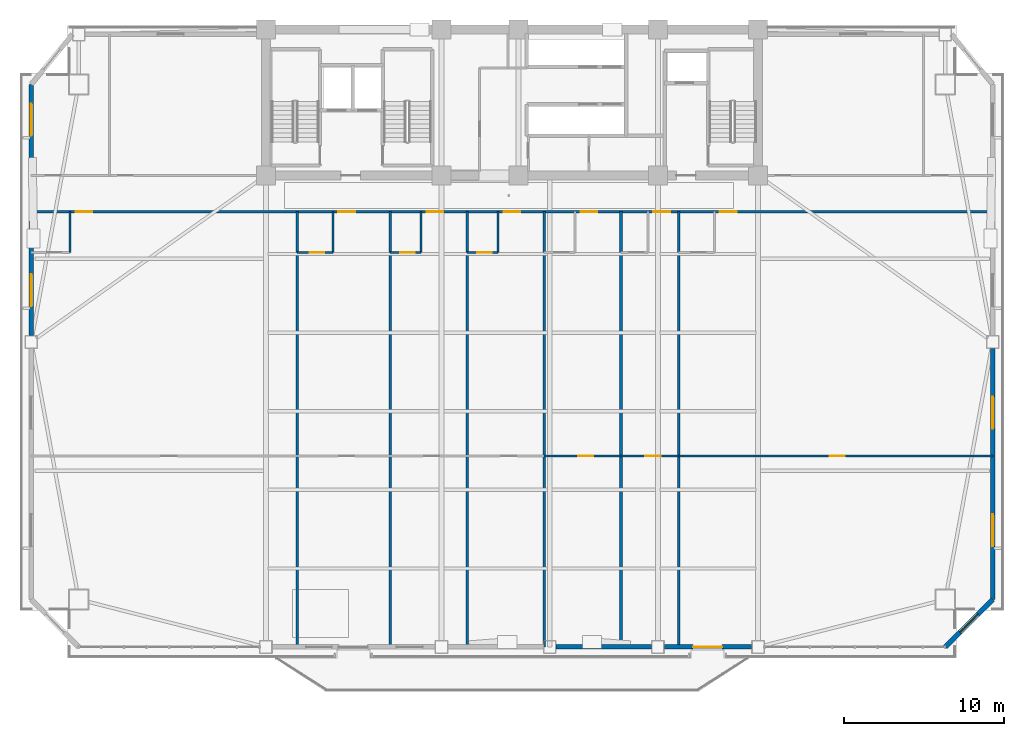
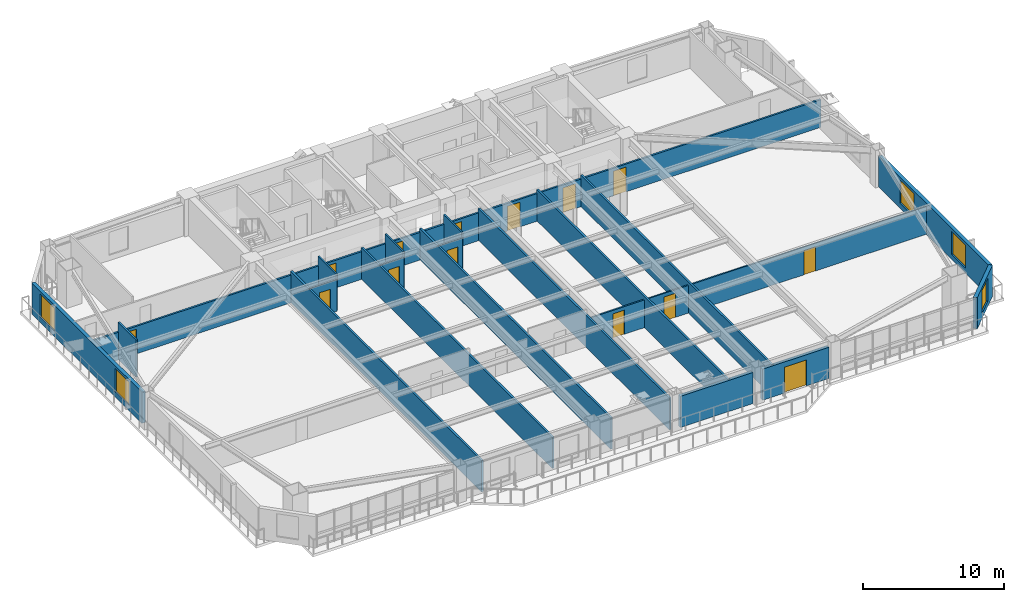
# One storey, part 8 of 17: 22 walls, 14 doors, 5 windows, 19 openings.
"""IFC4 building model written with IfcOpenShell, lengths in metres."""

from ifc_helpers import new_model, si_unit, direction, frame, frame_2d, origin, place, context, subcontext, project, spatial, rectangle, extrude, source, transform, mapped, material, layer, layer_set, type_object, element, fill, save


model = new_model("IFC4")

# Units and contexts
model_context = context("Model", 3, precision=1e-05, world=origin(), true_north=direction((0.0, 1.0)))
body_context = subcontext(model_context, "Body", "Model", "MODEL_VIEW")
ifc_project = project(units=[si_unit("LENGTHUNIT", "METRE"), si_unit("AREAUNIT", "SQUARE_METRE"), si_unit("VOLUMEUNIT", "CUBIC_METRE"), si_unit("PLANEANGLEUNIT", "RADIAN"), si_unit("MASSUNIT", "GRAM", prefix="KILO")], contexts=[model_context])

# Site, building, storey
site_placement = place(None, origin())
site = spatial("IfcSite", under=ifc_project, at=site_placement, CompositionType="ELEMENT")
building_placement = place(site_placement, origin())
building = spatial("IfcBuilding", under=site, at=building_placement, Name="Giltprow Tower", CompositionType="ELEMENT")
storey_placement = place(building_placement, frame((0.0, 0.0, 141.199951171875)))
storey = spatial("IfcBuildingStorey", under=building, at=storey_placement, Name="L34", CompositionType="ELEMENT", Elevation=141.199951171875)

# Wall, opening, window
ifc_material_1 = material(Name="Precast concrete C40", Category="concrete")
ifc_layer_1 = layer(ifc_material_1, 0.300048828125, Name="Precast concrete C40")
ifc_layer_set_1 = layer_set([ifc_layer_1], Name="Precast concrete C40")
wall_type_1 = type_object("IfcWallType", Name="EW-NOTCH-CHAMFER-300", PredefinedType="SOLIDWALL", material=ifc_layer_set_1)
wall_1_placement = place(storey_placement, frame((62.220947265625, 8.044921875, 0.0), z_axis=(0.0, 0.0, 1.0), x_axis=(0.707106781187, 0.707106781187, 0.0)))
wall_1 = element("IfcWall", 1, at=wall_1_placement, inside=storey, type_object=wall_type_1, Name="L34 Corner Notch Wall SE", PredefinedType="SOLIDWALL", context=body_context, shape_type="SweptSolid", body=[
    extrude(rectangle(XDim=4.193359375, YDim=0.300048828125, at=frame_2d((2.0966796875, 0.0))), origin(), (0.0, 0.0, 1.0), 2.699951171875),
])
opening_1_placement = place(wall_1_placement, frame((1.297119140625, 0.0, 0.449951171875)))
opening_1 = element("IfcOpeningElement", 2, at=opening_1_placement, cuts=wall_1, Name="Opening WN17", PredefinedType="OPENING", context=body_context, shape_type="SweptSolid", body=[
    extrude(rectangle(XDim=1.60009765625, YDim=2.0, at=frame_2d((0.800048828125, 1.0))), frame((0.0, 0.159912109375, 0.0), z_axis=(0.0, -1.0, 0.0), x_axis=(1.0, 0.0, 0.0)), (0.0, 0.0, 1.0), 0.320068359375),
])
ifc_material_2 = material(Name="Insulated glass", Category="glass")
window_type_1 = type_object("IfcWindowType", Name="WN-COR-1600x2000", PartitioningType="SINGLE_PANEL", PredefinedType="WINDOW", material=ifc_material_2)
shared_shape_1 = source(origin(), body_context, "Body", "SweptSolid", [
    extrude(rectangle(XDim=1.60009765625, YDim=2.0, at=frame_2d((0.800048828125, 1.0))), frame((0.0, 0.030029296875, 0.0), z_axis=(0.0, -1.0, 0.0), x_axis=(1.0, 0.0, 0.0)), (0.0, 0.0, 1.0), 0.06005859375),
])
window_1_placement = place(opening_1_placement, origin())
window_1 = element("IfcWindow", 3, at=window_1_placement, inside=storey, type_object=window_type_1, Name="L34 Corner Notch Window SE", OverallHeight=2.0, OverallWidth=1.60009765625, PartitioningType="SINGLE_PANEL", PredefinedType="WINDOW", context=body_context, shape_type="MappedRepresentation", body=[
    mapped(shared_shape_1, transform((0.0, 0.0, 0.0), x_axis=(1.0, 0.0, 0.0), y_axis=(0.0, 1.0, 0.0), z_axis=(0.0, 0.0, 1.0), scale=1.0)),
])
fill(opening_1, window_1)

# Wall
ifc_layer_2 = layer(ifc_material_1, 0.280029296875, Name="Precast concrete C40")
ifc_layer_set_2 = layer_set([ifc_layer_2], Name="Precast concrete C40")
wall_type_2 = type_object("IfcWallType", Name="EW-TOW-BRONZE-280", PredefinedType="SOLIDWALL", material=ifc_layer_set_2)
wall_2_placement = place(storey_placement, frame((37.949951171875, 8.044921875, 0.0), z_axis=(0.0, 0.0, 1.0), x_axis=(1.0, 0.0, 0.0)))
element("IfcWall", 4, at=wall_2_placement, inside=storey, type_object=wall_type_2, Name="L34 South Expressed Frame Wall 4", PredefinedType="SOLIDWALL", context=body_context, shape_type="SweptSolid", body=[
    extrude(rectangle(XDim=5.949951171875, YDim=0.280029296875, at=frame_2d((2.97509765625, 0.0))), origin(), (0.0, 0.0, 1.0), 2.699951171875),
])

# Wall, opening, door
wall_3_placement = place(storey_placement, frame((44.699951171875, 8.044921875, 0.0), z_axis=(0.0, 0.0, 1.0), x_axis=(1.0, 0.0, 0.0)))
wall_3 = element("IfcWall", 5, at=wall_3_placement, inside=storey, type_object=wall_type_2, Name="L34 South Expressed Frame Wall 5", PredefinedType="SOLIDWALL", context=body_context, shape_type="SweptSolid", body=[
    extrude(rectangle(XDim=5.449951171875, YDim=0.280029296875, at=frame_2d((2.72509765625, 0.0))), origin(), (0.0, 0.0, 1.0), 2.699951171875),
])
opening_2_placement = place(wall_3_placement, frame((1.800048828125, 0.0, 0.0)))
opening_2 = element("IfcOpeningElement", 6, at=opening_2_placement, cuts=wall_3, Name="Opening ED25", PredefinedType="OPENING", context=body_context, shape_type="SweptSolid", body=[
    extrude(rectangle(XDim=1.800048828125, YDim=2.25, at=frame_2d((0.89990234375, 1.125))), frame((0.0, 0.14990234375, 0.0), z_axis=(0.0, -1.0, 0.0), x_axis=(1.0, 0.0, 0.0)), (0.0, 0.0, 1.0), 0.300048828125),
])
ifc_material_3 = material(Name="Anodized bronze and glass", Category="glass")
door_type_1 = type_object("IfcDoorType", Name="DR-BALC-SLIDE-1800", OperationType="SLIDING_TO_LEFT", PredefinedType="DOOR", material=ifc_material_3)
shared_shape_2 = source(origin(), body_context, "Body", "SweptSolid", [
    extrude(rectangle(XDim=1.800048828125, YDim=2.25, at=frame_2d((0.89990234375, 1.125))), frame((0.0, 0.02490234375, 0.0), z_axis=(0.0, -1.0, 0.0), x_axis=(1.0, 0.0, 0.0)), (0.0, 0.0, 1.0), 0.050048828125),
])
door_1_placement = place(opening_2_placement, origin())
door_1 = element("IfcDoor", 7, at=door_1_placement, inside=storey, type_object=door_type_1, Name="L34 Waterfront Balcony Sliding Door 2", OperationType="SLIDING_TO_LEFT", OverallHeight=2.25, OverallWidth=1.800048828125, PredefinedType="DOOR", context=body_context, shape_type="MappedRepresentation", body=[
    mapped(shared_shape_2, transform((0.0, 0.0, 0.0), x_axis=(1.0, 0.0, 0.0), y_axis=(0.0, 1.0, 0.0), z_axis=(0.0, 0.0, 1.0), scale=1.0)),
])
fill(opening_2, door_1)

# Wall, openings, windows
wall_4_placement = place(storey_placement, frame((5.214111328125, 27.471923828125, 0.0), z_axis=(0.0, 0.0, 1.0), x_axis=(0.0, 1.0, 0.0)))
wall_4 = element("IfcWall", 8, at=wall_4_placement, inside=storey, type_object=wall_type_2, Name="L34 W Wing Masonry Wall 2", PredefinedType="SOLIDWALL", context=body_context, shape_type="SweptSolid", body=[
    extrude(rectangle(XDim=15.662109375, YDim=0.280029296875, at=frame_2d((7.8310546875, 0.0))), origin(), (0.0, 0.0, 1.0), 2.699951171875),
])
opening_3_placement = place(wall_4_placement, frame((1.822998046875, 0.0, 0.449951171875)))
opening_3 = element("IfcOpeningElement", 9, at=opening_3_placement, cuts=wall_4, Name="Opening WN21", PredefinedType="OPENING", context=body_context, shape_type="SweptSolid", body=[
    extrude(rectangle(XDim=2.0, YDim=2.0, at=frame_2d((1.0, 1.0))), frame((0.0, 0.14990234375, 0.0), z_axis=(0.0, -1.0, 0.0), x_axis=(1.0, 0.0, 0.0)), (0.0, 0.0, 1.0), 0.300048828125),
])
opening_4_placement = place(wall_4_placement, frame((12.4580078125, 0.0, 0.449951171875)))
opening_4 = element("IfcOpeningElement", 10, at=opening_4_placement, cuts=wall_4, Name="Opening WN21", PredefinedType="OPENING", context=body_context, shape_type="SweptSolid", body=[
    extrude(rectangle(XDim=2.0, YDim=2.0, at=frame_2d((1.0, 1.0))), frame((0.0, 0.14990234375, 0.0), z_axis=(0.0, -1.0, 0.0), x_axis=(1.0, 0.0, 0.0)), (0.0, 0.0, 1.0), 0.300048828125),
])
window_type_2 = type_object("IfcWindowType", Name="WN-HTL-2000x2000", PartitioningType="DOUBLE_PANEL_VERTICAL", PredefinedType="WINDOW", material=ifc_material_2)
shared_shape_3 = source(origin(), body_context, "Body", "SweptSolid", [
    extrude(rectangle(XDim=2.0, YDim=2.0, at=frame_2d((1.0, 1.0))), frame((0.0, 0.030029296875, 0.0), z_axis=(0.0, -1.0, 0.0), x_axis=(1.0, 0.0, 0.0)), (0.0, 0.0, 1.0), 0.06005859375),
])
window_2_placement = place(opening_3_placement, origin())
window_2 = element("IfcWindow", 11, at=window_2_placement, inside=storey, type_object=window_type_2, Name="L34 W Wing Window 2-1", OverallHeight=2.0, OverallWidth=2.0, PartitioningType="SINGLE_PANEL", PredefinedType="WINDOW", context=body_context, shape_type="MappedRepresentation", body=[
    mapped(shared_shape_3, transform((0.0, 0.0, 0.0), x_axis=(1.0, 0.0, 0.0), y_axis=(0.0, 1.0, 0.0), z_axis=(0.0, 0.0, 1.0), scale=1.0)),
])
fill(opening_3, window_2)
window_3_placement = place(opening_4_placement, origin())
window_3 = element("IfcWindow", 12, at=window_3_placement, inside=storey, type_object=window_type_2, Name="L34 W Wing Window 2-2", OverallHeight=2.0, OverallWidth=2.0, PartitioningType="SINGLE_PANEL", PredefinedType="WINDOW", context=body_context, shape_type="MappedRepresentation", body=[
    mapped(shared_shape_3, transform((0.0, 0.0, 0.0), x_axis=(1.0, 0.0, 0.0), y_axis=(0.0, 1.0, 0.0), z_axis=(0.0, 0.0, 1.0), scale=1.0)),
])
fill(opening_4, window_3)

wall_5_placement = place(storey_placement, frame((65.18603515625, 11.010009765625, 0.0), z_axis=(0.0, 0.0, 1.0), x_axis=(0.0, 1.0, 0.0)))
wall_5 = element("IfcWall", 13, at=wall_5_placement, inside=storey, type_object=wall_type_2, Name="L34 E Wing Masonry Wall 1", PredefinedType="SOLIDWALL", context=body_context, shape_type="SweptSolid", body=[
    extrude(rectangle(XDim=15.662109375, YDim=0.280029296875, at=frame_2d((7.8310546875, 0.0))), origin(), (0.0, 0.0, 1.0), 2.699951171875),
])
opening_5_placement = place(wall_5_placement, frame((3.31201171875, 0.0, 0.449951171875)))
opening_5 = element("IfcOpeningElement", 14, at=opening_5_placement, cuts=wall_5, Name="Opening WN21", PredefinedType="OPENING", context=body_context, shape_type="SweptSolid", body=[
    extrude(rectangle(XDim=2.0, YDim=2.0, at=frame_2d((1.0, 1.0))), frame((0.0, 0.14990234375, 0.0), z_axis=(0.0, -1.0, 0.0), x_axis=(1.0, 0.0, 0.0)), (0.0, 0.0, 1.0), 0.300048828125),
])
opening_6_placement = place(wall_5_placement, frame((10.64306640625, 0.0, 0.449951171875)))
opening_6 = element("IfcOpeningElement", 15, at=opening_6_placement, cuts=wall_5, Name="Opening WN21", PredefinedType="OPENING", context=body_context, shape_type="SweptSolid", body=[
    extrude(rectangle(XDim=2.0, YDim=2.0, at=frame_2d((1.0, 1.0))), frame((0.0, 0.14990234375, 0.0), z_axis=(0.0, -1.0, 0.0), x_axis=(1.0, 0.0, 0.0)), (0.0, 0.0, 1.0), 0.300048828125),
])
window_4_placement = place(opening_5_placement, origin())
window_4 = element("IfcWindow", 16, at=window_4_placement, inside=storey, type_object=window_type_2, Name="L34 E Wing Window 1-1A", OverallHeight=2.0, OverallWidth=2.0, PartitioningType="SINGLE_PANEL", PredefinedType="WINDOW", context=body_context, shape_type="MappedRepresentation", body=[
    mapped(shared_shape_3, transform((0.0, 0.0, 0.0), x_axis=(1.0, 0.0, 0.0), y_axis=(0.0, 1.0, 0.0), z_axis=(0.0, 0.0, 1.0), scale=1.0)),
])
fill(opening_5, window_4)
window_5_placement = place(opening_6_placement, origin())
window_5 = element("IfcWindow", 17, at=window_5_placement, inside=storey, type_object=window_type_2, Name="L34 E Wing Window 1-1B", OverallHeight=2.0, OverallWidth=2.0, PartitioningType="SINGLE_PANEL", PredefinedType="WINDOW", context=body_context, shape_type="MappedRepresentation", body=[
    mapped(shared_shape_3, transform((0.0, 0.0, 0.0), x_axis=(1.0, 0.0, 0.0), y_axis=(0.0, 1.0, 0.0), z_axis=(0.0, 0.0, 1.0), scale=1.0)),
])
fill(opening_6, window_5)

# Wall, openings, doors
ifc_material_4 = material(Name="Gypsum stud partition", Category="gypsum")
ifc_layer_3 = layer(ifc_material_4, 0.14990234375, Name="Gypsum stud partition")
ifc_layer_set_3 = layer_set([ifc_layer_3], Name="Gypsum stud partition")
wall_type_3 = type_object("IfcWallType", Name="IW-CORR-150", PredefinedType="PARTITIONING", material=ifc_layer_set_3)
wall_6_placement = place(storey_placement, frame((5.214111328125, 35.199951171875, 0.0), z_axis=(0.0, 0.0, 1.0), x_axis=(1.0, 0.0, 0.0)))
wall_6 = element("IfcWall", 18, at=wall_6_placement, inside=storey, type_object=wall_type_3, Name="L34 Hotel Guestroom Corridor Wall", PredefinedType="PARTITIONING", context=body_context, shape_type="SweptSolid", body=[
    extrude(rectangle(XDim=59.971923828125, YDim=0.14990234375, at=frame_2d((29.98583984375, 0.0))), origin(), (0.0, 0.0, 1.0), 2.405029296875),
])
opening_7_placement = place(wall_6_placement, frame((2.77001953125, 0.0, 0.0)))
opening_7 = element("IfcOpeningElement", 19, at=opening_7_placement, cuts=wall_6, Name="Opening ID31", PredefinedType="OPENING", context=body_context, shape_type="SweptSolid", body=[
    extrude(rectangle(XDim=1.050048828125, YDim=2.14990234375, at=frame_2d((0.52490234375, 1.074951171875))), frame((0.0, 0.0849609375, 0.0), z_axis=(0.0, -1.0, 0.0), x_axis=(1.0, 0.0, 0.0)), (0.0, 0.0, 1.0), 0.169921875),
])
opening_8_placement = place(wall_6_placement, frame((19.156005859375, 0.0, 0.0)))
opening_8 = element("IfcOpeningElement", 20, at=opening_8_placement, cuts=wall_6, Name="Opening ID31", PredefinedType="OPENING", context=body_context, shape_type="SweptSolid", body=[
    extrude(rectangle(XDim=1.050048828125, YDim=2.14990234375, at=frame_2d((0.52490234375, 1.074951171875))), frame((0.0, 0.0849609375, 0.0), z_axis=(0.0, -1.0, 0.0), x_axis=(1.0, 0.0, 0.0)), (0.0, 0.0, 1.0), 0.169921875),
])
opening_9_placement = place(wall_6_placement, frame((24.662109375, 0.0, 0.0)))
opening_9 = element("IfcOpeningElement", 21, at=opening_9_placement, cuts=wall_6, Name="Opening ID31", PredefinedType="OPENING", context=body_context, shape_type="SweptSolid", body=[
    extrude(rectangle(XDim=1.050048828125, YDim=2.14990234375, at=frame_2d((0.52490234375, 1.074951171875))), frame((0.0, 0.0849609375, 0.0), z_axis=(0.0, -1.0, 0.0), x_axis=(1.0, 0.0, 0.0)), (0.0, 0.0, 1.0), 0.169921875),
])
opening_10_placement = place(wall_6_placement, frame((29.4619140625, 0.0, 0.0)))
opening_10 = element("IfcOpeningElement", 22, at=opening_10_placement, cuts=wall_6, Name="Opening ID31", PredefinedType="OPENING", context=body_context, shape_type="SweptSolid", body=[
    extrude(rectangle(XDim=1.050048828125, YDim=2.14990234375, at=frame_2d((0.52490234375, 1.074951171875))), frame((0.0, 0.0849609375, 0.0), z_axis=(0.0, -1.0, 0.0), x_axis=(1.0, 0.0, 0.0)), (0.0, 0.0, 1.0), 0.169921875),
])
opening_11_placement = place(wall_6_placement, frame((34.261962890625, 0.0, 0.0)))
opening_11 = element("IfcOpeningElement", 23, at=opening_11_placement, cuts=wall_6, Name="Opening ID31", PredefinedType="OPENING", context=body_context, shape_type="SweptSolid", body=[
    extrude(rectangle(XDim=1.050048828125, YDim=2.14990234375, at=frame_2d((0.52490234375, 1.074951171875))), frame((0.0, 0.0849609375, 0.0), z_axis=(0.0, -1.0, 0.0), x_axis=(1.0, 0.0, 0.0)), (0.0, 0.0, 1.0), 0.169921875),
])
opening_12_placement = place(wall_6_placement, frame((38.805908203125, 0.0, 0.0)))
opening_12 = element("IfcOpeningElement", 24, at=opening_12_placement, cuts=wall_6, Name="Opening ID31", PredefinedType="OPENING", context=body_context, shape_type="SweptSolid", body=[
    extrude(rectangle(XDim=1.050048828125, YDim=2.14990234375, at=frame_2d((0.52490234375, 1.074951171875))), frame((0.0, 0.0849609375, 0.0), z_axis=(0.0, -1.0, 0.0), x_axis=(1.0, 0.0, 0.0)), (0.0, 0.0, 1.0), 0.169921875),
])
opening_13_placement = place(wall_6_placement, frame((42.9560546875, 0.0, 0.0)))
opening_13 = element("IfcOpeningElement", 25, at=opening_13_placement, cuts=wall_6, Name="Opening ID31", PredefinedType="OPENING", context=body_context, shape_type="SweptSolid", body=[
    extrude(rectangle(XDim=1.050048828125, YDim=2.14990234375, at=frame_2d((0.52490234375, 1.074951171875))), frame((0.0, 0.0849609375, 0.0), z_axis=(0.0, -1.0, 0.0), x_axis=(1.0, 0.0, 0.0)), (0.0, 0.0, 1.0), 0.169921875),
])
ifc_material_5 = material(Name="Engineered timber", Category="wood")
door_type_2 = type_object("IfcDoorType", Name="DR-SUITE-1050", OperationType="SINGLE_SWING_LEFT", PredefinedType="DOOR", material=ifc_material_5)
shared_shape_4 = source(origin(), body_context, "Body", "SweptSolid", [
    extrude(rectangle(XDim=1.050048828125, YDim=2.14990234375, at=frame_2d((0.52490234375, 1.074951171875))), frame((0.0, 0.02490234375, 0.0), z_axis=(0.0, -1.0, 0.0), x_axis=(1.0, 0.0, 0.0)), (0.0, 0.0, 1.0), 0.050048828125),
])
door_2_placement = place(opening_7_placement, origin())
door_2 = element("IfcDoor", 26, at=door_2_placement, inside=storey, type_object=door_type_2, Name="L34 Hotel Room 1 Entry Door", OperationType="SINGLE_SWING_LEFT", OverallHeight=2.14990234375, OverallWidth=1.050048828125, PredefinedType="DOOR", context=body_context, shape_type="MappedRepresentation", body=[
    mapped(shared_shape_4, transform((0.0, 0.0, 0.0), x_axis=(1.0, 0.0, 0.0), y_axis=(0.0, 1.0, 0.0), z_axis=(0.0, 0.0, 1.0), scale=1.0)),
])
fill(opening_7, door_2)
door_3_placement = place(opening_8_placement, origin())
door_3 = element("IfcDoor", 27, at=door_3_placement, inside=storey, type_object=door_type_2, Name="L34 Hotel Room 2 Entry Door", OperationType="SINGLE_SWING_RIGHT", OverallHeight=2.14990234375, OverallWidth=1.050048828125, PredefinedType="DOOR", context=body_context, shape_type="MappedRepresentation", body=[
    mapped(shared_shape_4, transform((0.0, 0.0, 0.0), x_axis=(1.0, 0.0, 0.0), y_axis=(0.0, 1.0, 0.0), z_axis=(0.0, 0.0, 1.0), scale=1.0)),
])
fill(opening_8, door_3)
door_4_placement = place(opening_9_placement, origin())
door_4 = element("IfcDoor", 28, at=door_4_placement, inside=storey, type_object=door_type_2, Name="L34 Hotel Room 3 Entry Door", OperationType="SINGLE_SWING_LEFT", OverallHeight=2.14990234375, OverallWidth=1.050048828125, PredefinedType="DOOR", context=body_context, shape_type="MappedRepresentation", body=[
    mapped(shared_shape_4, transform((0.0, 0.0, 0.0), x_axis=(1.0, 0.0, 0.0), y_axis=(0.0, 1.0, 0.0), z_axis=(0.0, 0.0, 1.0), scale=1.0)),
])
fill(opening_9, door_4)
door_5_placement = place(opening_10_placement, origin())
door_5 = element("IfcDoor", 29, at=door_5_placement, inside=storey, type_object=door_type_2, Name="L34 Hotel Room 4 Entry Door", OperationType="SINGLE_SWING_RIGHT", OverallHeight=2.14990234375, OverallWidth=1.050048828125, PredefinedType="DOOR", context=body_context, shape_type="MappedRepresentation", body=[
    mapped(shared_shape_4, transform((0.0, 0.0, 0.0), x_axis=(1.0, 0.0, 0.0), y_axis=(0.0, 1.0, 0.0), z_axis=(0.0, 0.0, 1.0), scale=1.0)),
])
fill(opening_10, door_5)
door_6_placement = place(opening_11_placement, origin())
door_6 = element("IfcDoor", 30, at=door_6_placement, inside=storey, type_object=door_type_2, Name="L34 Hotel Room 5 Entry Door", OperationType="SINGLE_SWING_LEFT", OverallHeight=2.14990234375, OverallWidth=1.050048828125, PredefinedType="DOOR", context=body_context, shape_type="MappedRepresentation", body=[
    mapped(shared_shape_4, transform((0.0, 0.0, 0.0), x_axis=(1.0, 0.0, 0.0), y_axis=(0.0, 1.0, 0.0), z_axis=(0.0, 0.0, 1.0), scale=1.0)),
])
fill(opening_11, door_6)
door_7_placement = place(opening_12_placement, origin())
door_7 = element("IfcDoor", 31, at=door_7_placement, inside=storey, type_object=door_type_2, Name="L34 Hotel Room 6 Entry Door", OperationType="SINGLE_SWING_RIGHT", OverallHeight=2.14990234375, OverallWidth=1.050048828125, PredefinedType="DOOR", context=body_context, shape_type="MappedRepresentation", body=[
    mapped(shared_shape_4, transform((0.0, 0.0, 0.0), x_axis=(1.0, 0.0, 0.0), y_axis=(0.0, 1.0, 0.0), z_axis=(0.0, 0.0, 1.0), scale=1.0)),
])
fill(opening_12, door_7)
door_8_placement = place(opening_13_placement, origin())
door_8 = element("IfcDoor", 32, at=door_8_placement, inside=storey, type_object=door_type_2, Name="L34 Hotel Room 7 Entry Door", OperationType="SINGLE_SWING_LEFT", OverallHeight=2.14990234375, OverallWidth=1.050048828125, PredefinedType="DOOR", context=body_context, shape_type="MappedRepresentation", body=[
    mapped(shared_shape_4, transform((0.0, 0.0, 0.0), x_axis=(1.0, 0.0, 0.0), y_axis=(0.0, 1.0, 0.0), z_axis=(0.0, 0.0, 1.0), scale=1.0)),
])
fill(opening_13, door_8)

# Walls
ifc_layer_4 = layer(ifc_material_4, 0.159912109375, Name="Gypsum stud partition")
ifc_layer_set_4 = layer_set([ifc_layer_4], Name="Gypsum stud partition")
wall_type_4 = type_object("IfcWallType", Name="IW-DEMISE-160", PredefinedType="PARTITIONING", material=ifc_layer_set_4)
for number, where, z_axis, x_axis, name in (
    (33, (21.800048828125, 8.044921875, 0.0), (0.0, 0.0, 1.0), (0.0, 1.0, 0.0), "L34 Hotel Demising Wall 1"),
    (34, (27.60009765625, 8.044921875, 0.0), (0.0, 0.0, 1.0), (0.0, 1.0, 0.0), "L34 Hotel Demising Wall 2"),
    (35, (32.39990234375, 8.044921875, 0.0), (0.0, 0.0, 1.0), (0.0, 1.0, 0.0), "L34 Hotel Demising Wall 3"),
):
    element("IfcWall", number, at=place(storey_placement, frame(where, z_axis=z_axis, x_axis=x_axis)), inside=storey, type_object=wall_type_4, Name=name, PredefinedType="PARTITIONING", context=body_context, shape_type="SweptSolid", body=[
        extrude(rectangle(XDim=27.155029296875, YDim=0.159912109375, at=frame_2d((13.57763671875, 0.0))), origin(), (0.0, 0.0, 1.0), 2.705078125),
    ])
wall_7_placement = place(storey_placement, frame((37.199951171875, 8.044921875, 0.0), z_axis=(0.0, 0.0, 1.0), x_axis=(0.0, 1.0, 0.0)))
element("IfcWall", 36, at=wall_7_placement, inside=storey, type_object=wall_type_4, Name="L34 Hotel Demising Wall 4", PredefinedType="PARTITIONING", context=body_context, shape_type="SweptSolid", body=[
    extrude(rectangle(XDim=27.155029296875, YDim=0.159912109375, at=frame_2d((13.57763671875, 0.0))), origin(), (0.0, 0.0, 1.0), 2.755126953125),
])
for number, where, z_axis, x_axis, name in (
    (37, (42.0, 8.044921875, 0.0), (0.0, 0.0, 1.0), (0.0, 1.0, 0.0), "L34 Hotel Demising Wall 5"),
    (38, (45.60009765625, 8.044921875, 0.0), (0.0, 0.0, 1.0), (0.0, 1.0, 0.0), "L34 Hotel Demising Wall 6"),
):
    element("IfcWall", number, at=place(storey_placement, frame(where, z_axis=z_axis, x_axis=x_axis)), inside=storey, type_object=wall_type_4, Name=name, PredefinedType="PARTITIONING", context=body_context, shape_type="SweptSolid", body=[
        extrude(rectangle(XDim=27.155029296875, YDim=0.159912109375, at=frame_2d((13.57763671875, 0.0))), origin(), (0.0, 0.0, 1.0), 2.705078125),
    ])

# Wall, opening, door
ifc_layer_5 = layer(ifc_material_4, 0.1201171875, Name="Gypsum stud partition")
ifc_layer_set_5 = layer_set([ifc_layer_5], Name="Gypsum stud partition")
wall_type_5 = type_object("IfcWallType", Name="IW-ROOM-120", PredefinedType="PARTITIONING", material=ifc_layer_set_5)
wall_8_placement = place(storey_placement, frame((37.199951171875, 19.958984375, 0.0), z_axis=(0.0, 0.0, 1.0), x_axis=(1.0, 0.0, 0.0)))
wall_8 = element("IfcWall", 39, at=wall_8_placement, inside=storey, type_object=wall_type_5, Name="L34 Suite Parlour Divider 5", PredefinedType="PARTITIONING", context=body_context, shape_type="SweptSolid", body=[
    extrude(rectangle(XDim=4.800048828125, YDim=0.1201171875, at=frame_2d((2.39990234375, 0.0))), origin(), (0.0, 0.0, 1.0), 2.405029296875),
])
opening_14_placement = place(wall_8_placement, frame((2.125, 0.0, 0.0)))
opening_14 = element("IfcOpeningElement", 40, at=opening_14_placement, cuts=wall_8, Name="Opening ID11", PredefinedType="OPENING", context=body_context, shape_type="SweptSolid", body=[
    extrude(rectangle(XDim=0.949951171875, YDim=2.10009765625, at=frame_2d((0.47509765625, 1.050048828125))), frame((0.0, 0.070068359375, 0.0), z_axis=(0.0, -1.0, 0.0), x_axis=(1.0, 0.0, 0.0)), (0.0, 0.0, 1.0), 0.14013671875),
])
door_type_3 = type_object("IfcDoorType", Name="DR-ROOM-950", OperationType="SINGLE_SWING_RIGHT", PredefinedType="DOOR", material=ifc_material_5)
shared_shape_5 = source(origin(), body_context, "Body", "SweptSolid", [
    extrude(rectangle(XDim=0.949951171875, YDim=2.10009765625, at=frame_2d((0.47509765625, 1.050048828125))), frame((0.0, 0.02490234375, 0.0), z_axis=(0.0, -1.0, 0.0), x_axis=(1.0, 0.0, 0.0)), (0.0, 0.0, 1.0), 0.050048828125),
])
door_9_placement = place(opening_14_placement, origin())
door_9 = element("IfcDoor", 41, at=door_9_placement, inside=storey, type_object=door_type_3, Name="L34 Harbour Parlour 5 Door", OperationType="SINGLE_SWING_LEFT", OverallHeight=2.10009765625, OverallWidth=0.949951171875, PredefinedType="DOOR", context=body_context, shape_type="MappedRepresentation", body=[
    mapped(shared_shape_5, transform((0.0, 0.0, 0.0), x_axis=(1.0, 0.0, 0.0), y_axis=(0.0, 1.0, 0.0), z_axis=(0.0, 0.0, 1.0), scale=1.0)),
])
fill(opening_14, door_9)

wall_9_placement = place(storey_placement, frame((42.0, 19.958984375, 0.0), z_axis=(0.0, 0.0, 1.0), x_axis=(1.0, 0.0, 0.0)))
wall_9 = element("IfcWall", 42, at=wall_9_placement, inside=storey, type_object=wall_type_5, Name="L34 Suite Parlour Divider 6", PredefinedType="PARTITIONING", context=body_context, shape_type="SweptSolid", body=[
    extrude(rectangle(XDim=3.60009765625, YDim=0.1201171875, at=frame_2d((1.800048828125, 0.0))), origin(), (0.0, 0.0, 1.0), 2.405029296875),
])
opening_15_placement = place(wall_9_placement, frame((1.52490234375, 0.0, 0.0)))
opening_15 = element("IfcOpeningElement", 43, at=opening_15_placement, cuts=wall_9, Name="Opening ID11", PredefinedType="OPENING", context=body_context, shape_type="SweptSolid", body=[
    extrude(rectangle(XDim=0.949951171875, YDim=2.10009765625, at=frame_2d((0.47509765625, 1.050048828125))), frame((0.0, 0.070068359375, 0.0), z_axis=(0.0, -1.0, 0.0), x_axis=(1.0, 0.0, 0.0)), (0.0, 0.0, 1.0), 0.14013671875),
])
door_10_placement = place(opening_15_placement, origin())
door_10 = element("IfcDoor", 44, at=door_10_placement, inside=storey, type_object=door_type_3, Name="L34 Harbour Parlour 6 Door", OperationType="SINGLE_SWING_RIGHT", OverallHeight=2.10009765625, OverallWidth=0.949951171875, PredefinedType="DOOR", context=body_context, shape_type="MappedRepresentation", body=[
    mapped(shared_shape_5, transform((0.0, 0.0, 0.0), x_axis=(1.0, 0.0, 0.0), y_axis=(0.0, 1.0, 0.0), z_axis=(0.0, 0.0, 1.0), scale=1.0)),
])
fill(opening_15, door_10)

wall_10_placement = place(storey_placement, frame((45.60009765625, 19.958984375, 0.0), z_axis=(0.0, 0.0, 1.0), x_axis=(1.0, 0.0, 0.0)))
wall_10 = element("IfcWall", 45, at=wall_10_placement, inside=storey, type_object=wall_type_5, Name="L34 Suite Parlour Divider 7", PredefinedType="PARTITIONING", context=body_context, shape_type="SweptSolid", body=[
    extrude(rectangle(XDim=19.5859375, YDim=0.1201171875, at=frame_2d((9.79296875, 0.0))), origin(), (0.0, 0.0, 1.0), 2.405029296875),
])
opening_16_placement = place(wall_10_placement, frame((9.41796875, 0.0, 0.0)))
opening_16 = element("IfcOpeningElement", 46, at=opening_16_placement, cuts=wall_10, Name="Opening ID11", PredefinedType="OPENING", context=body_context, shape_type="SweptSolid", body=[
    extrude(rectangle(XDim=0.949951171875, YDim=2.10009765625, at=frame_2d((0.47509765625, 1.050048828125))), frame((0.0, 0.070068359375, 0.0), z_axis=(0.0, -1.0, 0.0), x_axis=(1.0, 0.0, 0.0)), (0.0, 0.0, 1.0), 0.14013671875),
])
door_11_placement = place(opening_16_placement, origin())
door_11 = element("IfcDoor", 47, at=door_11_placement, inside=storey, type_object=door_type_3, Name="L34 Harbour Parlour 7 Door", OperationType="SINGLE_SWING_LEFT", OverallHeight=2.10009765625, OverallWidth=0.949951171875, PredefinedType="DOOR", context=body_context, shape_type="MappedRepresentation", body=[
    mapped(shared_shape_5, transform((0.0, 0.0, 0.0), x_axis=(1.0, 0.0, 0.0), y_axis=(0.0, 1.0, 0.0), z_axis=(0.0, 0.0, 1.0), scale=1.0)),
])
fill(opening_16, door_11)

# Wall
ifc_material_6 = material(Name="Concrete C30", Category="concrete")
ifc_layer_6 = layer(ifc_material_6, 0.1298828125, Name="Concrete C30")
ifc_layer_set_6 = layer_set([ifc_layer_6], Name="Concrete C30")
wall_type_6 = type_object("IfcWallType", Name="IW-WET-130", PredefinedType="PARTITIONING", material=ifc_layer_set_6)
wall_11_placement = place(storey_placement, frame((7.64404296875, 32.64990234375, 0.0), z_axis=(0.0, 0.0, 1.0), x_axis=(0.0, 1.0, 0.0)))
element("IfcWall", 48, at=wall_11_placement, inside=storey, type_object=wall_type_6, Name="L34 En-Suite East Wall 1", PredefinedType="PARTITIONING", context=body_context, shape_type="SweptSolid", body=[
    extrude(rectangle(XDim=2.550048828125, YDim=0.1298828125, at=frame_2d((1.27490234375, 0.0))), origin(), (0.0, 0.0, 1.0), 3.219970703125),
])

# Wall, opening, door
wall_12_placement = place(storey_placement, frame((21.800048828125, 32.64990234375, 0.0), z_axis=(0.0, 0.0, 1.0), x_axis=(1.0, 0.0, 0.0)))
wall_12 = element("IfcWall", 49, at=wall_12_placement, inside=storey, type_object=wall_type_6, Name="L34 En-Suite South Wall 2", PredefinedType="PARTITIONING", context=body_context, shape_type="SweptSolid", body=[
    extrude(rectangle(XDim=2.22998046875, YDim=0.1298828125, at=frame_2d((1.114990234375, 0.0))), origin(), (0.0, 0.0, 1.0), 2.755126953125),
])
opening_17_placement = place(wall_12_placement, frame((0.784912109375, 0.0, 0.0)))
opening_17 = element("IfcOpeningElement", 50, at=opening_17_placement, cuts=wall_12, Name="Opening ID15", PredefinedType="OPENING", context=body_context, shape_type="SweptSolid", body=[
    extrude(rectangle(XDim=0.89990234375, YDim=2.10009765625, at=frame_2d((0.449951171875, 1.050048828125))), frame((0.0, 0.074951171875, 0.0), z_axis=(0.0, -1.0, 0.0), x_axis=(1.0, 0.0, 0.0)), (0.0, 0.0, 1.0), 0.14990234375),
])
door_type_4 = type_object("IfcDoorType", Name="DR-WC-900", OperationType="SINGLE_SWING_LEFT", PredefinedType="DOOR", material=ifc_material_5)
shared_shape_6 = source(origin(), body_context, "Body", "SweptSolid", [
    extrude(rectangle(XDim=0.89990234375, YDim=2.10009765625, at=frame_2d((0.449951171875, 1.050048828125))), frame((0.0, 0.02490234375, 0.0), z_axis=(0.0, -1.0, 0.0), x_axis=(1.0, 0.0, 0.0)), (0.0, 0.0, 1.0), 0.050048828125),
])
door_12_placement = place(opening_17_placement, origin())
door_12 = element("IfcDoor", 51, at=door_12_placement, inside=storey, type_object=door_type_4, Name="L34 En-Suite 2 Door", OperationType="SINGLE_SWING_LEFT", OverallHeight=2.10009765625, OverallWidth=0.89990234375, PredefinedType="DOOR", context=body_context, shape_type="MappedRepresentation", body=[
    mapped(shared_shape_6, transform((0.0, 0.0, 0.0), x_axis=(1.0, 0.0, 0.0), y_axis=(0.0, 1.0, 0.0), z_axis=(0.0, 0.0, 1.0), scale=1.0)),
])
fill(opening_17, door_12)

# Wall
wall_13_placement = place(storey_placement, frame((24.030029296875, 32.64990234375, 0.0), z_axis=(0.0, 0.0, 1.0), x_axis=(0.0, 1.0, 0.0)))
element("IfcWall", 52, at=wall_13_placement, inside=storey, type_object=wall_type_6, Name="L34 En-Suite East Wall 2", PredefinedType="PARTITIONING", context=body_context, shape_type="SweptSolid", body=[
    extrude(rectangle(XDim=2.550048828125, YDim=0.1298828125, at=frame_2d((1.27490234375, 0.0))), origin(), (0.0, 0.0, 1.0), 3.219970703125),
])

# Wall, opening, door
wall_14_placement = place(storey_placement, frame((27.60009765625, 32.64990234375, 0.0), z_axis=(0.0, 0.0, 1.0), x_axis=(1.0, 0.0, 0.0)))
wall_14 = element("IfcWall", 53, at=wall_14_placement, inside=storey, type_object=wall_type_6, Name="L34 En-Suite South Wall 3", PredefinedType="PARTITIONING", context=body_context, shape_type="SweptSolid", body=[
    extrude(rectangle(XDim=1.935791015625, YDim=0.1298828125, at=frame_2d((0.9677734375, 0.0))), origin(), (0.0, 0.0, 1.0), 2.755126953125),
])
opening_18_placement = place(wall_14_placement, frame((0.637939453125, 0.0, 0.0)))
opening_18 = element("IfcOpeningElement", 54, at=opening_18_placement, cuts=wall_14, Name="Opening ID15", PredefinedType="OPENING", context=body_context, shape_type="SweptSolid", body=[
    extrude(rectangle(XDim=0.89990234375, YDim=2.10009765625, at=frame_2d((0.449951171875, 1.050048828125))), frame((0.0, 0.074951171875, 0.0), z_axis=(0.0, -1.0, 0.0), x_axis=(1.0, 0.0, 0.0)), (0.0, 0.0, 1.0), 0.14990234375),
])
door_13_placement = place(opening_18_placement, origin())
door_13 = element("IfcDoor", 55, at=door_13_placement, inside=storey, type_object=door_type_4, Name="L34 En-Suite 3 Door", OperationType="SINGLE_SWING_RIGHT", OverallHeight=2.10009765625, OverallWidth=0.89990234375, PredefinedType="DOOR", context=body_context, shape_type="MappedRepresentation", body=[
    mapped(shared_shape_6, transform((0.0, 0.0, 0.0), x_axis=(1.0, 0.0, 0.0), y_axis=(0.0, 1.0, 0.0), z_axis=(0.0, 0.0, 1.0), scale=1.0)),
])
fill(opening_18, door_13)

# Wall
wall_15_placement = place(storey_placement, frame((29.535888671875, 32.64990234375, 0.0), z_axis=(0.0, 0.0, 1.0), x_axis=(0.0, 1.0, 0.0)))
element("IfcWall", 56, at=wall_15_placement, inside=storey, type_object=wall_type_6, Name="L34 En-Suite East Wall 3", PredefinedType="PARTITIONING", context=body_context, shape_type="SweptSolid", body=[
    extrude(rectangle(XDim=2.550048828125, YDim=0.1298828125, at=frame_2d((1.27490234375, 0.0))), origin(), (0.0, 0.0, 1.0), 3.219970703125),
])

# Wall, opening, door
wall_16_placement = place(storey_placement, frame((32.39990234375, 32.64990234375, 0.0), z_axis=(0.0, 0.0, 1.0), x_axis=(1.0, 0.0, 0.0)))
wall_16 = element("IfcWall", 57, at=wall_16_placement, inside=storey, type_object=wall_type_6, Name="L34 En-Suite South Wall 4", PredefinedType="PARTITIONING", context=body_context, shape_type="SweptSolid", body=[
    extrude(rectangle(XDim=1.93603515625, YDim=0.1298828125, at=frame_2d((0.968017578125, 0.0))), origin(), (0.0, 0.0, 1.0), 2.755126953125),
])
opening_19_placement = place(wall_16_placement, frame((0.637939453125, 0.0, 0.0)))
opening_19 = element("IfcOpeningElement", 58, at=opening_19_placement, cuts=wall_16, Name="Opening ID15", PredefinedType="OPENING", context=body_context, shape_type="SweptSolid", body=[
    extrude(rectangle(XDim=0.89990234375, YDim=2.10009765625, at=frame_2d((0.449951171875, 1.050048828125))), frame((0.0, 0.074951171875, 0.0), z_axis=(0.0, -1.0, 0.0), x_axis=(1.0, 0.0, 0.0)), (0.0, 0.0, 1.0), 0.14990234375),
])
door_14_placement = place(opening_19_placement, origin())
door_14 = element("IfcDoor", 59, at=door_14_placement, inside=storey, type_object=door_type_4, Name="L34 En-Suite 4 Door", OperationType="SINGLE_SWING_LEFT", OverallHeight=2.10009765625, OverallWidth=0.89990234375, PredefinedType="DOOR", context=body_context, shape_type="MappedRepresentation", body=[
    mapped(shared_shape_6, transform((0.0, 0.0, 0.0), x_axis=(1.0, 0.0, 0.0), y_axis=(0.0, 1.0, 0.0), z_axis=(0.0, 0.0, 1.0), scale=1.0)),
])
fill(opening_19, door_14)

# Wall
wall_17_placement = place(storey_placement, frame((34.3359375, 32.64990234375, 0.0), z_axis=(0.0, 0.0, 1.0), x_axis=(0.0, 1.0, 0.0)))
element("IfcWall", 60, at=wall_17_placement, inside=storey, type_object=wall_type_6, Name="L34 En-Suite East Wall 4", PredefinedType="PARTITIONING", context=body_context, shape_type="SweptSolid", body=[
    extrude(rectangle(XDim=2.550048828125, YDim=0.1298828125, at=frame_2d((1.27490234375, 0.0))), origin(), (0.0, 0.0, 1.0), 3.219970703125),
])

save(model, "model.ifc")
